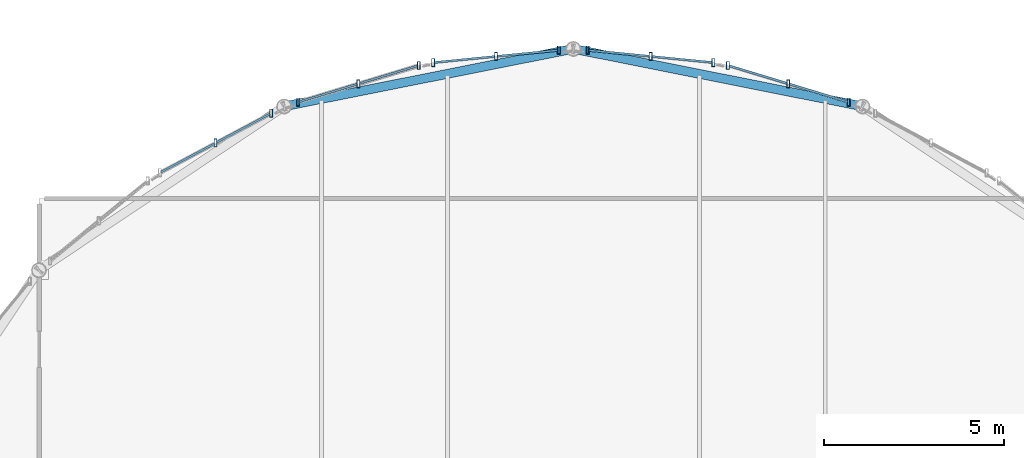
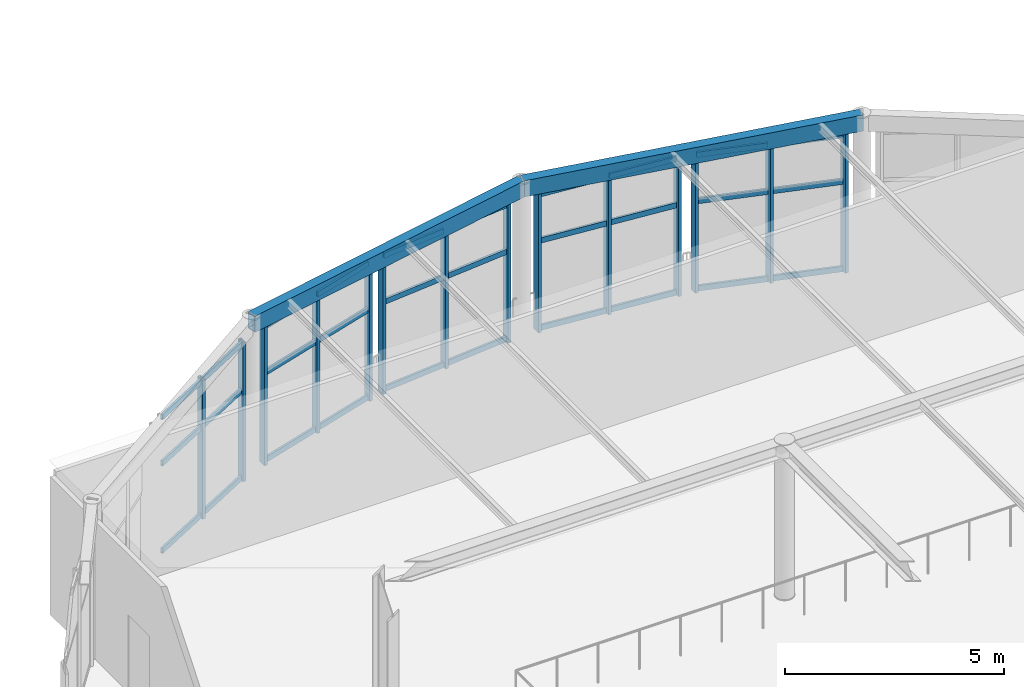
# One storey, part 50 of 105: 44 members, 2 beams, 5 elements without a shape of their own.
"""IFC4 building model written with IfcOpenShell, lengths in metres."""

from ifc_helpers import new_model, si_unit, direction, frame, origin, origin_2d, place, context, subcontext, project, spatial, hollow_rectangle, extrude, material, layer, layer_set, material_profile, profile_set, type_object, element, aggregate, save


model = new_model("IFC4")

# Units and contexts
model_context = context("Model", 3, precision=1e-05, world=origin(), true_north=direction((0.0, 1.0)))
body_context = subcontext(model_context, "Body", "Model", "MODEL_VIEW")
ifc_project = project(units=[si_unit("LENGTHUNIT", "METRE"), si_unit("AREAUNIT", "SQUARE_METRE"), si_unit("VOLUMEUNIT", "CUBIC_METRE"), si_unit("PLANEANGLEUNIT", "RADIAN"), si_unit("MASSUNIT", "GRAM", prefix="KILO")], contexts=[model_context])

# Site, building, storey
site_placement = place(None, origin())
site = spatial("IfcSite", under=ifc_project, at=site_placement, CompositionType="ELEMENT")
building_placement = place(site_placement, origin())
building = spatial("IfcBuilding", under=site, at=building_placement, Name="Marlcrest Central Station", CompositionType="ELEMENT")
storey_placement = place(building_placement, frame((0.0, 0.0, 15.0)))
storey = spatial("IfcBuildingStorey", under=building, at=storey_placement, Name="L03", CompositionType="ELEMENT", Elevation=15.0)

# Curtain wall, members
ifc_material_1 = material(Name="Anodised aluminium and hurricane laminated glass", Category="aluminium")
ifc_layer = layer(ifc_material_1, 0.219970703125, Name="CW-U1")
ifc_layer_set = layer_set([ifc_layer], Name="Anodised aluminium and hurricane laminated glass")
curtain_wall_type = type_object("IfcCurtainWallType", Name="CW-U1", PredefinedType="USERDEFINED", material=ifc_layer_set)
curtain_wall_1_placement = place(storey_placement, origin())
curtain_wall_1 = element("IfcCurtainWall", 1, at=curtain_wall_1_placement, inside=storey, type_object=curtain_wall_type, Name="cw-L03-0088", ObjectType="UNITISED_CURTAIN_WALL", PredefinedType="USERDEFINED")
ifc_material_2 = material(Name="Anodised aluminium 6063-T6", Category="aluminium")
ifc_material_profile_1 = material_profile(ifc_material_2, hollow_rectangle(XDim=0.080078125, YDim=0.219970703125, WallThickness=0.006103515625, at=origin_2d()), Name="AA-RHS 220x80x6")
ifc_profile_set_1 = profile_set([ifc_material_profile_1], Name="Anodised aluminium 6063-T6")
member_type_1 = type_object("IfcMemberType", Name="ML-01", PredefinedType="MULLION", material=ifc_profile_set_1)
member_1_placement = place(storey_placement, frame((98.06103515625, 128.88427734375, -0.030029296875), z_axis=(0.0, 0.0, 1.0), x_axis=(1.0, 0.0, 0.0)))
member_1 = element("IfcMember", 2, at=member_1_placement, type_object=member_type_1, Name="cw-L03-0088-ml-1", PredefinedType="MULLION", context=body_context, shape_type="SweptSolid", body=[
    extrude(hollow_rectangle(XDim=0.080078125, YDim=0.219970703125, WallThickness=0.006103515625, at=origin_2d()), origin(), (0.0, 0.0, 1.0), 3.860107421875),
])
member_2_placement = place(storey_placement, frame((99.607666015625, 129.710693359375, -0.030029296875), z_axis=(0.0, 0.0, 1.0), x_axis=(1.0, 0.0, 0.0)))
member_2 = element("IfcMember", 3, at=member_2_placement, type_object=member_type_1, Name="cw-L03-0088-ml-2", PredefinedType="MULLION", context=body_context, shape_type="SweptSolid", body=[
    extrude(hollow_rectangle(XDim=0.080078125, YDim=0.219970703125, WallThickness=0.006103515625, at=origin_2d()), origin(), (0.0, 0.0, 1.0), 3.860107421875),
])

curtain_wall_2_placement = place(storey_placement, origin())
curtain_wall_2 = element("IfcCurtainWall", 4, at=curtain_wall_2_placement, inside=storey, type_object=curtain_wall_type, Name="cw-L03-0089", ObjectType="UNITISED_CURTAIN_WALL", PredefinedType="USERDEFINED")
member_3_placement = place(storey_placement, frame((100.3505859375, 130.018310546875, -0.030029296875), z_axis=(0.0, 0.0, 1.0), x_axis=(1.0, 0.0, 0.0)))
member_3 = element("IfcMember", 5, at=member_3_placement, type_object=member_type_1, Name="cw-L03-0089-ml-0", PredefinedType="MULLION", context=body_context, shape_type="SweptSolid", body=[
    extrude(hollow_rectangle(XDim=0.080078125, YDim=0.219970703125, WallThickness=0.006103515625, at=origin_2d()), origin(), (0.0, 0.0, 1.0), 3.860107421875),
])
member_4_placement = place(storey_placement, frame((102.0283203125, 130.52734375, -0.030029296875), z_axis=(0.0, 0.0, 1.0), x_axis=(1.0, 0.0, 0.0)))
member_4 = element("IfcMember", 6, at=member_4_placement, type_object=member_type_1, Name="cw-L03-0089-ml-1", PredefinedType="MULLION", context=body_context, shape_type="SweptSolid", body=[
    extrude(hollow_rectangle(XDim=0.080078125, YDim=0.219970703125, WallThickness=0.006103515625, at=origin_2d()), origin(), (0.0, 0.0, 1.0), 3.860107421875),
])
member_5_placement = place(storey_placement, frame((103.7060546875, 131.0361328125, -0.030029296875), z_axis=(0.0, 0.0, 1.0), x_axis=(1.0, 0.0, 0.0)))
member_5 = element("IfcMember", 7, at=member_5_placement, type_object=member_type_1, Name="cw-L03-0089-ml-2", PredefinedType="MULLION", context=body_context, shape_type="SweptSolid", body=[
    extrude(hollow_rectangle(XDim=0.080078125, YDim=0.219970703125, WallThickness=0.006103515625, at=origin_2d()), origin(), (0.0, 0.0, 1.0), 3.860107421875),
])

curtain_wall_3_placement = place(storey_placement, origin())
curtain_wall_3 = element("IfcCurtainWall", 8, at=curtain_wall_3_placement, inside=storey, type_object=curtain_wall_type, Name="cw-L03-0090", ObjectType="UNITISED_CURTAIN_WALL", PredefinedType="USERDEFINED")
member_6_placement = place(storey_placement, frame((104.10791015625, 131.1162109375, -0.030029296875), z_axis=(0.0, 0.0, 1.0), x_axis=(1.0, 0.0, 0.0)))
member_6 = element("IfcMember", 9, at=member_6_placement, type_object=member_type_1, Name="cw-L03-0090-ml-0", PredefinedType="MULLION", context=body_context, shape_type="SweptSolid", body=[
    extrude(hollow_rectangle(XDim=0.080078125, YDim=0.219970703125, WallThickness=0.006103515625, at=origin_2d()), origin(), (0.0, 0.0, 1.0), 3.860107421875),
])
member_7_placement = place(storey_placement, frame((105.852783203125, 131.288330078125, -0.030029296875), z_axis=(0.0, 0.0, 1.0), x_axis=(1.0, 0.0, 0.0)))
member_7 = element("IfcMember", 10, at=member_7_placement, type_object=member_type_1, Name="cw-L03-0090-ml-1", PredefinedType="MULLION", context=body_context, shape_type="SweptSolid", body=[
    extrude(hollow_rectangle(XDim=0.080078125, YDim=0.219970703125, WallThickness=0.006103515625, at=origin_2d()), origin(), (0.0, 0.0, 1.0), 3.860107421875),
])
member_8_placement = place(storey_placement, frame((107.597900390625, 131.46044921875, -0.030029296875), z_axis=(0.0, 0.0, 1.0), x_axis=(1.0, 0.0, 0.0)))
member_8 = element("IfcMember", 11, at=member_8_placement, type_object=member_type_1, Name="cw-L03-0090-ml-2", PredefinedType="MULLION", context=body_context, shape_type="SweptSolid", body=[
    extrude(hollow_rectangle(XDim=0.080078125, YDim=0.219970703125, WallThickness=0.006103515625, at=origin_2d()), origin(), (0.0, 0.0, 1.0), 3.860107421875),
])

curtain_wall_4_placement = place(storey_placement, origin())
curtain_wall_4 = element("IfcCurtainWall", 12, at=curtain_wall_4_placement, inside=storey, type_object=curtain_wall_type, Name="cw-L03-0091", ObjectType="UNITISED_CURTAIN_WALL", PredefinedType="USERDEFINED")
member_9_placement = place(storey_placement, frame((108.402099609375, 131.46044921875, -0.030029296875), z_axis=(0.0, 0.0, 1.0), x_axis=(1.0, 0.0, 0.0)))
member_9 = element("IfcMember", 13, at=member_9_placement, type_object=member_type_1, Name="cw-L03-0091-ml-0", PredefinedType="MULLION", context=body_context, shape_type="SweptSolid", body=[
    extrude(hollow_rectangle(XDim=0.080078125, YDim=0.219970703125, WallThickness=0.006103515625, at=origin_2d()), origin(), (0.0, 0.0, 1.0), 3.860107421875),
])
member_10_placement = place(storey_placement, frame((110.147216796875, 131.288330078125, -0.030029296875), z_axis=(0.0, 0.0, 1.0), x_axis=(1.0, 0.0, 0.0)))
member_10 = element("IfcMember", 14, at=member_10_placement, type_object=member_type_1, Name="cw-L03-0091-ml-1", PredefinedType="MULLION", context=body_context, shape_type="SweptSolid", body=[
    extrude(hollow_rectangle(XDim=0.080078125, YDim=0.219970703125, WallThickness=0.006103515625, at=origin_2d()), origin(), (0.0, 0.0, 1.0), 3.860107421875),
])
member_11_placement = place(storey_placement, frame((111.89208984375, 131.1162109375, -0.030029296875), z_axis=(0.0, 0.0, 1.0), x_axis=(1.0, 0.0, 0.0)))
member_11 = element("IfcMember", 15, at=member_11_placement, type_object=member_type_1, Name="cw-L03-0091-ml-2", PredefinedType="MULLION", context=body_context, shape_type="SweptSolid", body=[
    extrude(hollow_rectangle(XDim=0.080078125, YDim=0.219970703125, WallThickness=0.006103515625, at=origin_2d()), origin(), (0.0, 0.0, 1.0), 3.860107421875),
])

curtain_wall_5_placement = place(storey_placement, origin())
curtain_wall_5 = element("IfcCurtainWall", 16, at=curtain_wall_5_placement, inside=storey, type_object=curtain_wall_type, Name="cw-L03-0092", ObjectType="UNITISED_CURTAIN_WALL", PredefinedType="USERDEFINED")
member_12_placement = place(storey_placement, frame((112.2939453125, 131.0361328125, -0.030029296875), z_axis=(0.0, 0.0, 1.0), x_axis=(1.0, 0.0, 0.0)))
member_12 = element("IfcMember", 17, at=member_12_placement, type_object=member_type_1, Name="cw-L03-0092-ml-0", PredefinedType="MULLION", context=body_context, shape_type="SweptSolid", body=[
    extrude(hollow_rectangle(XDim=0.080078125, YDim=0.219970703125, WallThickness=0.006103515625, at=origin_2d()), origin(), (0.0, 0.0, 1.0), 3.860107421875),
])
member_13_placement = place(storey_placement, frame((113.9716796875, 130.52734375, -0.030029296875), z_axis=(0.0, 0.0, 1.0), x_axis=(1.0, 0.0, 0.0)))
member_13 = element("IfcMember", 18, at=member_13_placement, type_object=member_type_1, Name="cw-L03-0092-ml-1", PredefinedType="MULLION", context=body_context, shape_type="SweptSolid", body=[
    extrude(hollow_rectangle(XDim=0.080078125, YDim=0.219970703125, WallThickness=0.006103515625, at=origin_2d()), origin(), (0.0, 0.0, 1.0), 3.860107421875),
])
member_14_placement = place(storey_placement, frame((115.6494140625, 130.018310546875, -0.030029296875), z_axis=(0.0, 0.0, 1.0), x_axis=(1.0, 0.0, 0.0)))
member_14 = element("IfcMember", 19, at=member_14_placement, type_object=member_type_1, Name="cw-L03-0092-ml-2", PredefinedType="MULLION", context=body_context, shape_type="SweptSolid", body=[
    extrude(hollow_rectangle(XDim=0.080078125, YDim=0.219970703125, WallThickness=0.006103515625, at=origin_2d()), origin(), (0.0, 0.0, 1.0), 3.860107421875),
])

# Beams
ifc_material_3 = material(Name="Steel S355", Category="steel")
ifc_material_profile_2 = material_profile(ifc_material_3, hollow_rectangle(XDim=0.25, YDim=0.449951171875, WallThickness=0.01611328125, at=origin_2d()), Name="RHS 450x250x16")
ifc_profile_set_2 = profile_set([ifc_material_profile_2], Name="Steel S355")
beam_type = type_object("IfcBeamType", Name="SP-02", PredefinedType="SPANDREL", material=ifc_profile_set_2)
for number, where, z_axis, x_axis, name in (
    (20, (99.964111328125, 129.90087890625, 4.10009765625), (0.980769316421, 0.19517056122, 0.0), (-0.19517056122, 0.980769316421, 0.0), "bm-SP-02-L03-01521"),
    (21, (108.0, 131.5, 4.10009765625), (0.980769316421, -0.19517056122, 0.0), (0.19517056122, 0.980769316421, 0.0), "bm-SP-02-L03-01522"),
):
    element("IfcBeam", number, at=place(storey_placement, frame(where, z_axis=z_axis, x_axis=x_axis)), inside=storey, type_object=beam_type, Name=name, PredefinedType="SPANDREL", context=body_context, shape_type="SweptSolid", body=[
        extrude(hollow_rectangle(XDim=0.25, YDim=0.449951171875, WallThickness=0.01611328125, at=origin_2d()), origin(), (0.0, 0.0, 1.0), 8.193359375),
    ])

# Member
ifc_material_profile_3 = material_profile(ifc_material_2, hollow_rectangle(XDim=0.06005859375, YDim=0.14990234375, WallThickness=0.00390625, at=origin_2d()), Name="AA-RHS 150x60x4")
ifc_profile_set_3 = profile_set([ifc_material_profile_3], Name="Anodised aluminium 6063-T6")
member_type_2 = type_object("IfcMemberType", Name="TR-01", PredefinedType="USERDEFINED", material=ifc_profile_set_3)
member_15_placement = place(storey_placement, frame((96.548095703125, 128.075927734375, 0.0400390625), z_axis=(0.881990080976, 0.47126796736, 0.0), x_axis=(-0.47126796736, 0.881990080976, 0.0)))
member_15 = element("IfcMember", 22, at=member_15_placement, type_object=member_type_2, Name="cw-L03-0088-tr-0-sill", ObjectType="TRANSOM", PredefinedType="USERDEFINED", context=body_context, shape_type="SweptSolid", body=[
    extrude(hollow_rectangle(XDim=0.06005859375, YDim=0.14990234375, WallThickness=0.00390625, at=origin_2d()), origin(), (0.0, 0.0, 1.0), 1.677490234375),
])

member_16_placement = place(storey_placement, frame((96.548095703125, 128.075927734375, 2.469970703125), z_axis=(0.881990080976, 0.47126796736, 0.0), x_axis=(-0.47126796736, 0.881990080976, 0.0)))
member_16 = element("IfcMember", 23, at=member_16_placement, type_object=member_type_2, Name="cw-L03-0088-tr-0-mid", ObjectType="TRANSOM", PredefinedType="USERDEFINED", context=body_context, shape_type="SweptSolid", body=[
    extrude(hollow_rectangle(XDim=0.06005859375, YDim=0.14990234375, WallThickness=0.00390625, at=origin_2d()), origin(), (0.0, 0.0, 1.0), 1.677490234375),
])

member_17_placement = place(storey_placement, frame((96.548095703125, 128.075927734375, 3.760009765625), z_axis=(0.881990080976, 0.47126796736, 0.0), x_axis=(-0.47126796736, 0.881990080976, 0.0)))
member_17 = element("IfcMember", 24, at=member_17_placement, type_object=member_type_2, Name="cw-L03-0088-tr-0-head", ObjectType="TRANSOM", PredefinedType="USERDEFINED", context=body_context, shape_type="SweptSolid", body=[
    extrude(hollow_rectangle(XDim=0.06005859375, YDim=0.14990234375, WallThickness=0.00390625, at=origin_2d()), origin(), (0.0, 0.0, 1.0), 1.677490234375),
])

member_18_placement = place(storey_placement, frame((98.094482421875, 128.902099609375, 0.0400390625), z_axis=(0.882022398889, 0.471207478568, 0.0), x_axis=(-0.471207478568, 0.882022398889, 0.0)))
member_18 = element("IfcMember", 25, at=member_18_placement, type_object=member_type_2, Name="cw-L03-0088-tr-1-sill", ObjectType="TRANSOM", PredefinedType="USERDEFINED", context=body_context, shape_type="SweptSolid", body=[
    extrude(hollow_rectangle(XDim=0.06005859375, YDim=0.14990234375, WallThickness=0.00390625, at=origin_2d()), origin(), (0.0, 0.0, 1.0), 1.677734375),
])

member_19_placement = place(storey_placement, frame((98.094482421875, 128.902099609375, 2.469970703125), z_axis=(0.882022398889, 0.471207478568, 0.0), x_axis=(-0.471207478568, 0.882022398889, 0.0)))
member_19 = element("IfcMember", 26, at=member_19_placement, type_object=member_type_2, Name="cw-L03-0088-tr-1-mid", ObjectType="TRANSOM", PredefinedType="USERDEFINED", context=body_context, shape_type="SweptSolid", body=[
    extrude(hollow_rectangle(XDim=0.06005859375, YDim=0.14990234375, WallThickness=0.00390625, at=origin_2d()), origin(), (0.0, 0.0, 1.0), 1.677734375),
])

member_20_placement = place(storey_placement, frame((98.094482421875, 128.902099609375, 3.760009765625), z_axis=(0.882022398889, 0.471207478568, 0.0), x_axis=(-0.471207478568, 0.882022398889, 0.0)))
member_20 = element("IfcMember", 27, at=member_20_placement, type_object=member_type_2, Name="cw-L03-0088-tr-1-head", ObjectType="TRANSOM", PredefinedType="USERDEFINED", context=body_context, shape_type="SweptSolid", body=[
    extrude(hollow_rectangle(XDim=0.06005859375, YDim=0.14990234375, WallThickness=0.00390625, at=origin_2d()), origin(), (0.0, 0.0, 1.0), 1.677734375),
])

aggregate(curtain_wall_1, [member_1, member_2, member_15, member_16, member_17, member_18, member_19, member_20])

member_21_placement = place(storey_placement, frame((100.386962890625, 130.029296875, 0.0400390625), z_axis=(0.95694846695, 0.29025787087, 0.0), x_axis=(-0.29025787087, 0.95694846695, 0.0)))
member_21 = element("IfcMember", 28, at=member_21_placement, type_object=member_type_2, Name="cw-L03-0089-tr-0-sill", ObjectType="TRANSOM", PredefinedType="USERDEFINED", context=body_context, shape_type="SweptSolid", body=[
    extrude(hollow_rectangle(XDim=0.06005859375, YDim=0.14990234375, WallThickness=0.00390625, at=origin_2d()), origin(), (0.0, 0.0, 1.0), 1.67724609375),
])

member_22_placement = place(storey_placement, frame((100.386962890625, 130.029296875, 2.469970703125), z_axis=(0.95694846695, 0.29025787087, 0.0), x_axis=(-0.29025787087, 0.95694846695, 0.0)))
member_22 = element("IfcMember", 29, at=member_22_placement, type_object=member_type_2, Name="cw-L03-0089-tr-0-mid", ObjectType="TRANSOM", PredefinedType="USERDEFINED", context=body_context, shape_type="SweptSolid", body=[
    extrude(hollow_rectangle(XDim=0.06005859375, YDim=0.14990234375, WallThickness=0.00390625, at=origin_2d()), origin(), (0.0, 0.0, 1.0), 1.67724609375),
])

member_23_placement = place(storey_placement, frame((100.386962890625, 130.029296875, 3.760009765625), z_axis=(0.95694846695, 0.29025787087, 0.0), x_axis=(-0.29025787087, 0.95694846695, 0.0)))
member_23 = element("IfcMember", 30, at=member_23_placement, type_object=member_type_2, Name="cw-L03-0089-tr-0-head", ObjectType="TRANSOM", PredefinedType="USERDEFINED", context=body_context, shape_type="SweptSolid", body=[
    extrude(hollow_rectangle(XDim=0.06005859375, YDim=0.14990234375, WallThickness=0.00390625, at=origin_2d()), origin(), (0.0, 0.0, 1.0), 1.67724609375),
])

member_24_placement = place(storey_placement, frame((102.064697265625, 130.538330078125, 0.0400390625), z_axis=(0.95694846695, 0.29025787087, 0.0), x_axis=(-0.29025787087, 0.95694846695, 0.0)))
member_24 = element("IfcMember", 31, at=member_24_placement, type_object=member_type_2, Name="cw-L03-0089-tr-1-sill", ObjectType="TRANSOM", PredefinedType="USERDEFINED", context=body_context, shape_type="SweptSolid", body=[
    extrude(hollow_rectangle(XDim=0.06005859375, YDim=0.14990234375, WallThickness=0.00390625, at=origin_2d()), origin(), (0.0, 0.0, 1.0), 1.67724609375),
])

member_25_placement = place(storey_placement, frame((102.064697265625, 130.538330078125, 2.469970703125), z_axis=(0.95694846695, 0.29025787087, 0.0), x_axis=(-0.29025787087, 0.95694846695, 0.0)))
member_25 = element("IfcMember", 32, at=member_25_placement, type_object=member_type_2, Name="cw-L03-0089-tr-1-mid", ObjectType="TRANSOM", PredefinedType="USERDEFINED", context=body_context, shape_type="SweptSolid", body=[
    extrude(hollow_rectangle(XDim=0.06005859375, YDim=0.14990234375, WallThickness=0.00390625, at=origin_2d()), origin(), (0.0, 0.0, 1.0), 1.67724609375),
])

member_26_placement = place(storey_placement, frame((102.064697265625, 130.538330078125, 3.760009765625), z_axis=(0.95694846695, 0.29025787087, 0.0), x_axis=(-0.29025787087, 0.95694846695, 0.0)))
member_26 = element("IfcMember", 33, at=member_26_placement, type_object=member_type_2, Name="cw-L03-0089-tr-1-head", ObjectType="TRANSOM", PredefinedType="USERDEFINED", context=body_context, shape_type="SweptSolid", body=[
    extrude(hollow_rectangle(XDim=0.06005859375, YDim=0.14990234375, WallThickness=0.00390625, at=origin_2d()), origin(), (0.0, 0.0, 1.0), 1.67724609375),
])

aggregate(curtain_wall_2, [member_3, member_4, member_5, member_21, member_22, member_23, member_24, member_25, member_26])

member_27_placement = place(storey_placement, frame((104.145751953125, 131.119873046875, 0.0400390625), z_axis=(0.99517740164, 0.098091484163, 0.0), x_axis=(-0.098091484163, 0.99517740164, 0.0)))
member_27 = element("IfcMember", 34, at=member_27_placement, type_object=member_type_2, Name="cw-L03-0090-tr-0-sill", ObjectType="TRANSOM", PredefinedType="USERDEFINED", context=body_context, shape_type="SweptSolid", body=[
    extrude(hollow_rectangle(XDim=0.06005859375, YDim=0.14990234375, WallThickness=0.00390625, at=origin_2d()), origin(), (0.0, 0.0, 1.0), 1.677490234375),
])

member_28_placement = place(storey_placement, frame((104.145751953125, 131.119873046875, 2.469970703125), z_axis=(0.99517740164, 0.098091484163, 0.0), x_axis=(-0.098091484163, 0.99517740164, 0.0)))
member_28 = element("IfcMember", 35, at=member_28_placement, type_object=member_type_2, Name="cw-L03-0090-tr-0-mid", ObjectType="TRANSOM", PredefinedType="USERDEFINED", context=body_context, shape_type="SweptSolid", body=[
    extrude(hollow_rectangle(XDim=0.06005859375, YDim=0.14990234375, WallThickness=0.00390625, at=origin_2d()), origin(), (0.0, 0.0, 1.0), 1.677490234375),
])

member_29_placement = place(storey_placement, frame((104.145751953125, 131.119873046875, 3.760009765625), z_axis=(0.99517740164, 0.098091484163, 0.0), x_axis=(-0.098091484163, 0.99517740164, 0.0)))
member_29 = element("IfcMember", 36, at=member_29_placement, type_object=member_type_2, Name="cw-L03-0090-tr-0-head", ObjectType="TRANSOM", PredefinedType="USERDEFINED", context=body_context, shape_type="SweptSolid", body=[
    extrude(hollow_rectangle(XDim=0.06005859375, YDim=0.14990234375, WallThickness=0.00390625, at=origin_2d()), origin(), (0.0, 0.0, 1.0), 1.677490234375),
])

member_30_placement = place(storey_placement, frame((105.890625, 131.2919921875, 0.0400390625), z_axis=(0.99517740164, 0.098091484163, 0.0), x_axis=(-0.098091484163, 0.99517740164, 0.0)))
member_30 = element("IfcMember", 37, at=member_30_placement, type_object=member_type_2, Name="cw-L03-0090-tr-1-sill", ObjectType="TRANSOM", PredefinedType="USERDEFINED", context=body_context, shape_type="SweptSolid", body=[
    extrude(hollow_rectangle(XDim=0.06005859375, YDim=0.14990234375, WallThickness=0.00390625, at=origin_2d()), origin(), (0.0, 0.0, 1.0), 1.677490234375),
])

member_31_placement = place(storey_placement, frame((105.890625, 131.2919921875, 2.469970703125), z_axis=(0.99517740164, 0.098091484163, 0.0), x_axis=(-0.098091484163, 0.99517740164, 0.0)))
member_31 = element("IfcMember", 38, at=member_31_placement, type_object=member_type_2, Name="cw-L03-0090-tr-1-mid", ObjectType="TRANSOM", PredefinedType="USERDEFINED", context=body_context, shape_type="SweptSolid", body=[
    extrude(hollow_rectangle(XDim=0.06005859375, YDim=0.14990234375, WallThickness=0.00390625, at=origin_2d()), origin(), (0.0, 0.0, 1.0), 1.677490234375),
])

member_32_placement = place(storey_placement, frame((105.890625, 131.2919921875, 3.760009765625), z_axis=(0.99517740164, 0.098091484163, 0.0), x_axis=(-0.098091484163, 0.99517740164, 0.0)))
member_32 = element("IfcMember", 39, at=member_32_placement, type_object=member_type_2, Name="cw-L03-0090-tr-1-head", ObjectType="TRANSOM", PredefinedType="USERDEFINED", context=body_context, shape_type="SweptSolid", body=[
    extrude(hollow_rectangle(XDim=0.06005859375, YDim=0.14990234375, WallThickness=0.00390625, at=origin_2d()), origin(), (0.0, 0.0, 1.0), 1.677490234375),
])

aggregate(curtain_wall_3, [member_6, member_7, member_8, member_27, member_28, member_29, member_30, member_31, member_32])

member_33_placement = place(storey_placement, frame((108.43994140625, 131.45654296875, 0.0400390625), z_axis=(0.99517740164, -0.098091484163, 0.0), x_axis=(0.098091484163, 0.99517740164, 0.0)))
member_33 = element("IfcMember", 40, at=member_33_placement, type_object=member_type_2, Name="cw-L03-0091-tr-0-sill", ObjectType="TRANSOM", PredefinedType="USERDEFINED", context=body_context, shape_type="SweptSolid", body=[
    extrude(hollow_rectangle(XDim=0.06005859375, YDim=0.14990234375, WallThickness=0.00390625, at=origin_2d()), origin(), (0.0, 0.0, 1.0), 1.677490234375),
])

member_34_placement = place(storey_placement, frame((108.43994140625, 131.45654296875, 2.469970703125), z_axis=(0.99517740164, -0.098091484163, 0.0), x_axis=(0.098091484163, 0.99517740164, 0.0)))
member_34 = element("IfcMember", 41, at=member_34_placement, type_object=member_type_2, Name="cw-L03-0091-tr-0-mid", ObjectType="TRANSOM", PredefinedType="USERDEFINED", context=body_context, shape_type="SweptSolid", body=[
    extrude(hollow_rectangle(XDim=0.06005859375, YDim=0.14990234375, WallThickness=0.00390625, at=origin_2d()), origin(), (0.0, 0.0, 1.0), 1.677490234375),
])

member_35_placement = place(storey_placement, frame((108.43994140625, 131.45654296875, 3.760009765625), z_axis=(0.99517740164, -0.098091484163, 0.0), x_axis=(0.098091484163, 0.99517740164, 0.0)))
member_35 = element("IfcMember", 42, at=member_35_placement, type_object=member_type_2, Name="cw-L03-0091-tr-0-head", ObjectType="TRANSOM", PredefinedType="USERDEFINED", context=body_context, shape_type="SweptSolid", body=[
    extrude(hollow_rectangle(XDim=0.06005859375, YDim=0.14990234375, WallThickness=0.00390625, at=origin_2d()), origin(), (0.0, 0.0, 1.0), 1.677490234375),
])

member_36_placement = place(storey_placement, frame((110.184814453125, 131.284423828125, 0.0400390625), z_axis=(0.99517740164, -0.098091484163, 0.0), x_axis=(0.098091484163, 0.99517740164, 0.0)))
member_36 = element("IfcMember", 43, at=member_36_placement, type_object=member_type_2, Name="cw-L03-0091-tr-1-sill", ObjectType="TRANSOM", PredefinedType="USERDEFINED", context=body_context, shape_type="SweptSolid", body=[
    extrude(hollow_rectangle(XDim=0.06005859375, YDim=0.14990234375, WallThickness=0.00390625, at=origin_2d()), origin(), (0.0, 0.0, 1.0), 1.677490234375),
])

member_37_placement = place(storey_placement, frame((110.184814453125, 131.284423828125, 2.469970703125), z_axis=(0.99517740164, -0.098091484163, 0.0), x_axis=(0.098091484163, 0.99517740164, 0.0)))
member_37 = element("IfcMember", 44, at=member_37_placement, type_object=member_type_2, Name="cw-L03-0091-tr-1-mid", ObjectType="TRANSOM", PredefinedType="USERDEFINED", context=body_context, shape_type="SweptSolid", body=[
    extrude(hollow_rectangle(XDim=0.06005859375, YDim=0.14990234375, WallThickness=0.00390625, at=origin_2d()), origin(), (0.0, 0.0, 1.0), 1.677490234375),
])

member_38_placement = place(storey_placement, frame((110.184814453125, 131.284423828125, 3.760009765625), z_axis=(0.99517740164, -0.098091484163, 0.0), x_axis=(0.098091484163, 0.99517740164, 0.0)))
member_38 = element("IfcMember", 45, at=member_38_placement, type_object=member_type_2, Name="cw-L03-0091-tr-1-head", ObjectType="TRANSOM", PredefinedType="USERDEFINED", context=body_context, shape_type="SweptSolid", body=[
    extrude(hollow_rectangle(XDim=0.06005859375, YDim=0.14990234375, WallThickness=0.00390625, at=origin_2d()), origin(), (0.0, 0.0, 1.0), 1.677490234375),
])

aggregate(curtain_wall_4, [member_9, member_10, member_11, member_33, member_34, member_35, member_36, member_37, member_38])

member_39_placement = place(storey_placement, frame((112.330322265625, 131.025146484375, 0.0400390625), z_axis=(0.95694846695, -0.29025787087, 0.0), x_axis=(0.29025787087, 0.95694846695, 0.0)))
member_39 = element("IfcMember", 46, at=member_39_placement, type_object=member_type_2, Name="cw-L03-0092-tr-0-sill", ObjectType="TRANSOM", PredefinedType="USERDEFINED", context=body_context, shape_type="SweptSolid", body=[
    extrude(hollow_rectangle(XDim=0.06005859375, YDim=0.14990234375, WallThickness=0.00390625, at=origin_2d()), origin(), (0.0, 0.0, 1.0), 1.67724609375),
])

member_40_placement = place(storey_placement, frame((112.330322265625, 131.025146484375, 2.469970703125), z_axis=(0.95694846695, -0.29025787087, 0.0), x_axis=(0.29025787087, 0.95694846695, 0.0)))
member_40 = element("IfcMember", 47, at=member_40_placement, type_object=member_type_2, Name="cw-L03-0092-tr-0-mid", ObjectType="TRANSOM", PredefinedType="USERDEFINED", context=body_context, shape_type="SweptSolid", body=[
    extrude(hollow_rectangle(XDim=0.06005859375, YDim=0.14990234375, WallThickness=0.00390625, at=origin_2d()), origin(), (0.0, 0.0, 1.0), 1.67724609375),
])

member_41_placement = place(storey_placement, frame((112.330322265625, 131.025146484375, 3.760009765625), z_axis=(0.95694846695, -0.29025787087, 0.0), x_axis=(0.29025787087, 0.95694846695, 0.0)))
member_41 = element("IfcMember", 48, at=member_41_placement, type_object=member_type_2, Name="cw-L03-0092-tr-0-head", ObjectType="TRANSOM", PredefinedType="USERDEFINED", context=body_context, shape_type="SweptSolid", body=[
    extrude(hollow_rectangle(XDim=0.06005859375, YDim=0.14990234375, WallThickness=0.00390625, at=origin_2d()), origin(), (0.0, 0.0, 1.0), 1.67724609375),
])

member_42_placement = place(storey_placement, frame((114.008056640625, 130.51611328125, 0.0400390625), z_axis=(0.95694846695, -0.29025787087, 0.0), x_axis=(0.29025787087, 0.95694846695, 0.0)))
member_42 = element("IfcMember", 49, at=member_42_placement, type_object=member_type_2, Name="cw-L03-0092-tr-1-sill", ObjectType="TRANSOM", PredefinedType="USERDEFINED", context=body_context, shape_type="SweptSolid", body=[
    extrude(hollow_rectangle(XDim=0.06005859375, YDim=0.14990234375, WallThickness=0.00390625, at=origin_2d()), origin(), (0.0, 0.0, 1.0), 1.67724609375),
])

member_43_placement = place(storey_placement, frame((114.008056640625, 130.51611328125, 2.469970703125), z_axis=(0.95694846695, -0.29025787087, 0.0), x_axis=(0.29025787087, 0.95694846695, 0.0)))
member_43 = element("IfcMember", 50, at=member_43_placement, type_object=member_type_2, Name="cw-L03-0092-tr-1-mid", ObjectType="TRANSOM", PredefinedType="USERDEFINED", context=body_context, shape_type="SweptSolid", body=[
    extrude(hollow_rectangle(XDim=0.06005859375, YDim=0.14990234375, WallThickness=0.00390625, at=origin_2d()), origin(), (0.0, 0.0, 1.0), 1.67724609375),
])

member_44_placement = place(storey_placement, frame((114.008056640625, 130.51611328125, 3.760009765625), z_axis=(0.95694846695, -0.29025787087, 0.0), x_axis=(0.29025787087, 0.95694846695, 0.0)))
member_44 = element("IfcMember", 51, at=member_44_placement, type_object=member_type_2, Name="cw-L03-0092-tr-1-head", ObjectType="TRANSOM", PredefinedType="USERDEFINED", context=body_context, shape_type="SweptSolid", body=[
    extrude(hollow_rectangle(XDim=0.06005859375, YDim=0.14990234375, WallThickness=0.00390625, at=origin_2d()), origin(), (0.0, 0.0, 1.0), 1.67724609375),
])

aggregate(curtain_wall_5, [member_12, member_13, member_14, member_39, member_40, member_41, member_42, member_43, member_44])

save(model, "model.ifc")
